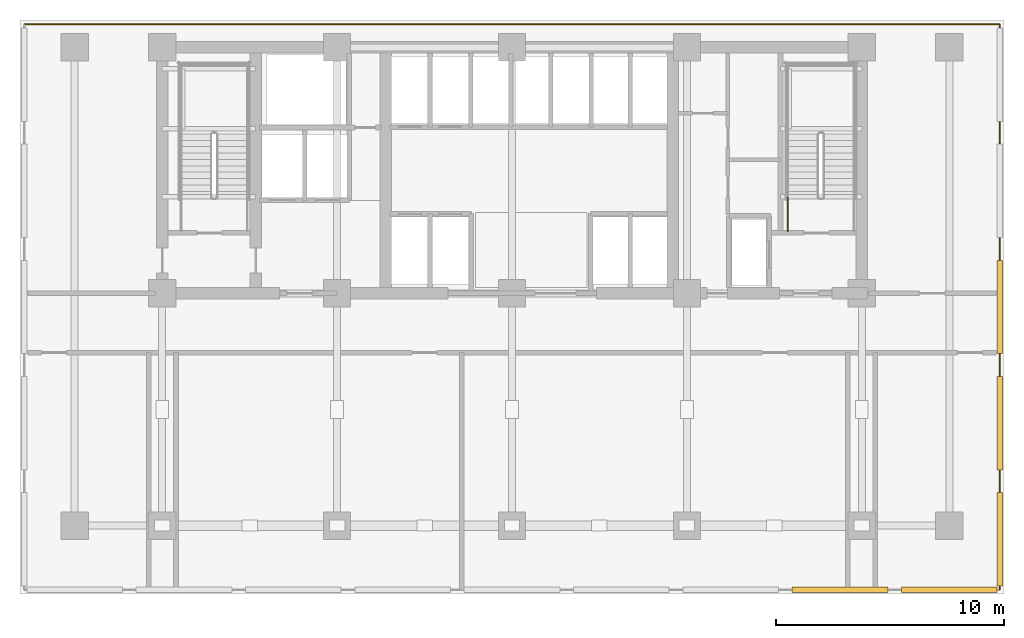
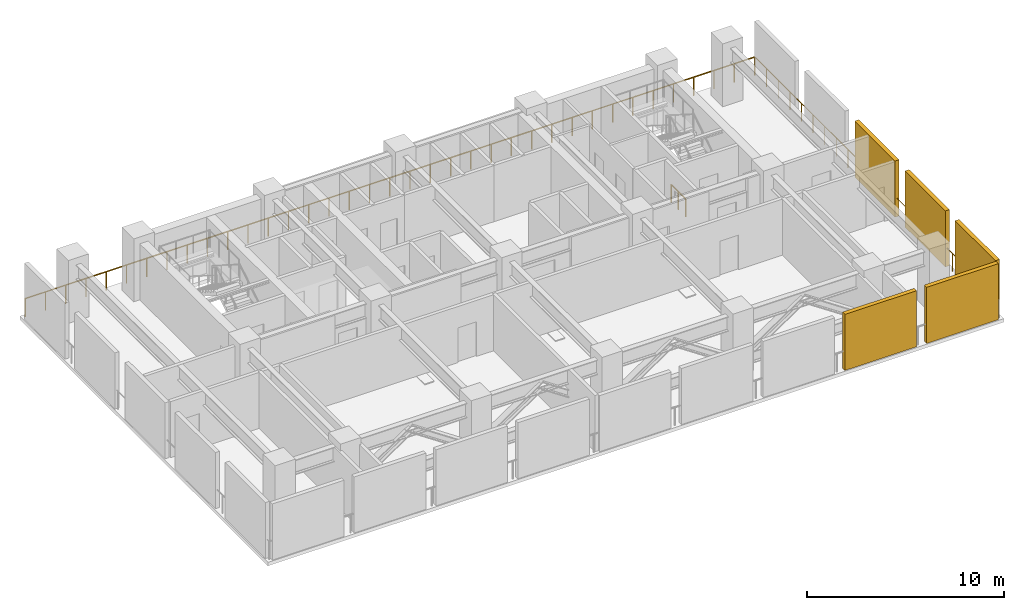
# One storey, part 6 of 7: 5 shading devices, 3 railings.
"""IFC4 building model written with IfcOpenShell, lengths in metres."""

from ifc_helpers import new_model, si_unit, direction, frame, origin, origin_2d, place, context, subcontext, project, spatial, rectangle, circle, extrude, material, layer, layer_set, type_object, element, save


model = new_model("IFC4")

# Units and contexts
model_context = context("Model", 3, precision=1e-05, world=origin(), true_north=direction((0.0, 1.0)))
body_context = subcontext(model_context, "Body", "Model", "MODEL_VIEW")
ifc_project = project(units=[si_unit("LENGTHUNIT", "METRE"), si_unit("AREAUNIT", "SQUARE_METRE"), si_unit("VOLUMEUNIT", "CUBIC_METRE"), si_unit("PLANEANGLEUNIT", "RADIAN"), si_unit("MASSUNIT", "GRAM", prefix="KILO")], contexts=[model_context])

# Site, building, storey
site_placement = place(None, origin())
site = spatial("IfcSite", under=ifc_project, at=site_placement, CompositionType="ELEMENT")
building_placement = place(site_placement, origin())
building = spatial("IfcBuilding", under=site, at=building_placement, Name="Yelkora Congress Tower", CompositionType="ELEMENT")
storey_placement = place(building_placement, frame((0.0, 0.0, 81.89990234375)))
storey = spatial("IfcBuildingStorey", under=building, at=storey_placement, Name="L21", CompositionType="ELEMENT", Elevation=81.89990234375)

# Railings
ifc_material_1 = material(Name="Stainless steel 316L and laminated glass infill", Category="steel")
ifc_layer_1 = layer(ifc_material_1, 0.080078125)
ifc_layer_set_1 = layer_set([ifc_layer_1], Name="Stainless steel 316L and laminated glass infill")
railing_type_1 = type_object("IfcRailingType", Name="RAIL-EXT-GUARD-1150", PredefinedType="GUARDRAIL", material=ifc_layer_set_1)
railing_1_placement = place(storey_placement, frame((59.820068359375, 22.39990234375, 0.0)))
element("IfcRailing", 1, at=railing_1_placement, inside=storey, type_object=railing_type_1, Name="L21 Wind-Floor Perimeter Guardrail E", PredefinedType="GUARDRAIL", context=body_context, shape_type="SweptSolid", body=[
    extrude(circle(Radius=0.02392578125, at=origin_2d()), frame((0.0, 0.0, 1.1259765625), z_axis=(0.0, 1.0, 0.0), x_axis=(-1.0, 0.0, 0.0)), (0.0, 0.0, 1.0), 24.800048828125),
    extrude(circle(Radius=0.02099609375, at=origin_2d()), origin(), (0.0, 0.0, 1.0), 1.101806640625),
    extrude(circle(Radius=0.02099609375, at=origin_2d()), frame((0.0, 1.180908203125, 0.0)), (0.0, 0.0, 1.0), 1.101806640625),
    extrude(circle(Radius=0.02099609375, at=origin_2d()), frame((0.0, 2.36181640625, 0.0)), (0.0, 0.0, 1.0), 1.101806640625),
    extrude(circle(Radius=0.02099609375, at=origin_2d()), frame((0.0, 3.54296875, 0.0)), (0.0, 0.0, 1.0), 1.101806640625),
    extrude(circle(Radius=0.02099609375, at=origin_2d()), frame((0.0, 4.723876953125, 0.0)), (0.0, 0.0, 1.0), 1.101806640625),
    extrude(circle(Radius=0.02099609375, at=origin_2d()), frame((0.0, 5.90478515625, 0.0)), (0.0, 0.0, 1.0), 1.101806640625),
    extrude(circle(Radius=0.02099609375, at=origin_2d()), frame((0.0, 7.085693359375, 0.0)), (0.0, 0.0, 1.0), 1.101806640625),
    extrude(circle(Radius=0.02099609375, at=origin_2d()), frame((0.0, 8.2666015625, 0.0)), (0.0, 0.0, 1.0), 1.101806640625),
    extrude(circle(Radius=0.02099609375, at=origin_2d()), frame((0.0, 9.44775390625, 0.0)), (0.0, 0.0, 1.0), 1.101806640625),
    extrude(circle(Radius=0.02099609375, at=origin_2d()), frame((0.0, 10.628662109375, 0.0)), (0.0, 0.0, 1.0), 1.101806640625),
    extrude(circle(Radius=0.02099609375, at=origin_2d()), frame((0.0, 11.8095703125, 0.0)), (0.0, 0.0, 1.0), 1.101806640625),
    extrude(circle(Radius=0.02099609375, at=origin_2d()), frame((0.0, 12.990478515625, 0.0)), (0.0, 0.0, 1.0), 1.101806640625),
    extrude(circle(Radius=0.02099609375, at=origin_2d()), frame((0.0, 14.17138671875, 0.0)), (0.0, 0.0, 1.0), 1.101806640625),
    extrude(circle(Radius=0.02099609375, at=origin_2d()), frame((0.0, 15.352294921875, 0.0)), (0.0, 0.0, 1.0), 1.101806640625),
    extrude(circle(Radius=0.02099609375, at=origin_2d()), frame((0.0, 16.533447265625, 0.0)), (0.0, 0.0, 1.0), 1.101806640625),
    extrude(circle(Radius=0.02099609375, at=origin_2d()), frame((0.0, 17.71435546875, 0.0)), (0.0, 0.0, 1.0), 1.101806640625),
    extrude(circle(Radius=0.02099609375, at=origin_2d()), frame((0.0, 18.895263671875, 0.0)), (0.0, 0.0, 1.0), 1.101806640625),
    extrude(circle(Radius=0.02099609375, at=origin_2d()), frame((0.0, 20.076171875, 0.0)), (0.0, 0.0, 1.0), 1.101806640625),
    extrude(circle(Radius=0.02099609375, at=origin_2d()), frame((0.0, 21.257080078125, 0.0)), (0.0, 0.0, 1.0), 1.101806640625),
    extrude(circle(Radius=0.02099609375, at=origin_2d()), frame((0.0, 22.438232421875, 0.0)), (0.0, 0.0, 1.0), 1.101806640625),
    extrude(circle(Radius=0.02099609375, at=origin_2d()), frame((0.0, 23.619140625, 0.0)), (0.0, 0.0, 1.0), 1.101806640625),
    extrude(circle(Radius=0.02099609375, at=origin_2d()), frame((0.0, 24.800048828125, 0.0)), (0.0, 0.0, 1.0), 1.101806640625),
])
railing_2_placement = place(storey_placement, frame((17.0, 47.219970703125, 0.0)))
element("IfcRailing", 2, at=railing_2_placement, inside=storey, type_object=railing_type_1, Name="L21 North Perimeter Guardrail", PredefinedType="GUARDRAIL", context=body_context, shape_type="SweptSolid", body=[
    extrude(circle(Radius=0.02392578125, at=origin_2d()), frame((0.0, 0.0, 1.1259765625), z_axis=(1.0, 0.0, 0.0), x_axis=(0.0, 1.0, 0.0)), (0.0, 0.0, 1.0), 42.800048828125),
    extrude(circle(Radius=0.02099609375, at=origin_2d()), origin(), (0.0, 0.0, 1.0), 1.101806640625),
    extrude(circle(Radius=0.02099609375, at=origin_2d()), frame((1.18896484375, 0.0, 0.0)), (0.0, 0.0, 1.0), 1.101806640625),
    extrude(circle(Radius=0.02099609375, at=origin_2d()), frame((2.377685546875, 0.0, 0.0)), (0.0, 0.0, 1.0), 1.101806640625),
    extrude(circle(Radius=0.02099609375, at=origin_2d()), frame((3.566650390625, 0.0, 0.0)), (0.0, 0.0, 1.0), 1.101806640625),
    extrude(circle(Radius=0.02099609375, at=origin_2d()), frame((4.755615234375, 0.0, 0.0)), (0.0, 0.0, 1.0), 1.101806640625),
    extrude(circle(Radius=0.02099609375, at=origin_2d()), frame((5.9443359375, 0.0, 0.0)), (0.0, 0.0, 1.0), 1.101806640625),
    extrude(circle(Radius=0.02099609375, at=origin_2d()), frame((7.13330078125, 0.0, 0.0)), (0.0, 0.0, 1.0), 1.101806640625),
    extrude(circle(Radius=0.02099609375, at=origin_2d()), frame((8.322265625, 0.0, 0.0)), (0.0, 0.0, 1.0), 1.101806640625),
    extrude(circle(Radius=0.02099609375, at=origin_2d()), frame((9.51123046875, 0.0, 0.0)), (0.0, 0.0, 1.0), 1.101806640625),
    extrude(circle(Radius=0.02099609375, at=origin_2d()), frame((10.699951171875, 0.0, 0.0)), (0.0, 0.0, 1.0), 1.101806640625),
    extrude(circle(Radius=0.02099609375, at=origin_2d()), frame((11.888916015625, 0.0, 0.0)), (0.0, 0.0, 1.0), 1.101806640625),
    extrude(circle(Radius=0.02099609375, at=origin_2d()), frame((13.077880859375, 0.0, 0.0)), (0.0, 0.0, 1.0), 1.101806640625),
    extrude(circle(Radius=0.02099609375, at=origin_2d()), frame((14.2666015625, 0.0, 0.0)), (0.0, 0.0, 1.0), 1.101806640625),
    extrude(circle(Radius=0.02099609375, at=origin_2d()), frame((15.45556640625, 0.0, 0.0)), (0.0, 0.0, 1.0), 1.101806640625),
    extrude(circle(Radius=0.02099609375, at=origin_2d()), frame((16.64453125, 0.0, 0.0)), (0.0, 0.0, 1.0), 1.101806640625),
    extrude(circle(Radius=0.02099609375, at=origin_2d()), frame((17.833251953125, 0.0, 0.0)), (0.0, 0.0, 1.0), 1.101806640625),
    extrude(circle(Radius=0.02099609375, at=origin_2d()), frame((19.022216796875, 0.0, 0.0)), (0.0, 0.0, 1.0), 1.101806640625),
    extrude(circle(Radius=0.02099609375, at=origin_2d()), frame((20.211181640625, 0.0, 0.0)), (0.0, 0.0, 1.0), 1.101806640625),
    extrude(circle(Radius=0.02099609375, at=origin_2d()), frame((21.39990234375, 0.0, 0.0)), (0.0, 0.0, 1.0), 1.101806640625),
    extrude(circle(Radius=0.02099609375, at=origin_2d()), frame((22.5888671875, 0.0, 0.0)), (0.0, 0.0, 1.0), 1.101806640625),
    extrude(circle(Radius=0.02099609375, at=origin_2d()), frame((23.77783203125, 0.0, 0.0)), (0.0, 0.0, 1.0), 1.101806640625),
    extrude(circle(Radius=0.02099609375, at=origin_2d()), frame((24.966796875, 0.0, 0.0)), (0.0, 0.0, 1.0), 1.101806640625),
    extrude(circle(Radius=0.02099609375, at=origin_2d()), frame((26.155517578125, 0.0, 0.0)), (0.0, 0.0, 1.0), 1.101806640625),
    extrude(circle(Radius=0.02099609375, at=origin_2d()), frame((27.344482421875, 0.0, 0.0)), (0.0, 0.0, 1.0), 1.101806640625),
    extrude(circle(Radius=0.02099609375, at=origin_2d()), frame((28.533447265625, 0.0, 0.0)), (0.0, 0.0, 1.0), 1.101806640625),
    extrude(circle(Radius=0.02099609375, at=origin_2d()), frame((29.72216796875, 0.0, 0.0)), (0.0, 0.0, 1.0), 1.101806640625),
    extrude(circle(Radius=0.02099609375, at=origin_2d()), frame((30.9111328125, 0.0, 0.0)), (0.0, 0.0, 1.0), 1.101806640625),
    extrude(circle(Radius=0.02099609375, at=origin_2d()), frame((32.10009765625, 0.0, 0.0)), (0.0, 0.0, 1.0), 1.101806640625),
    extrude(circle(Radius=0.02099609375, at=origin_2d()), frame((33.288818359375, 0.0, 0.0)), (0.0, 0.0, 1.0), 1.101806640625),
    extrude(circle(Radius=0.02099609375, at=origin_2d()), frame((34.477783203125, 0.0, 0.0)), (0.0, 0.0, 1.0), 1.101806640625),
    extrude(circle(Radius=0.02099609375, at=origin_2d()), frame((35.666748046875, 0.0, 0.0)), (0.0, 0.0, 1.0), 1.101806640625),
    extrude(circle(Radius=0.02099609375, at=origin_2d()), frame((36.855712890625, 0.0, 0.0)), (0.0, 0.0, 1.0), 1.101806640625),
    extrude(circle(Radius=0.02099609375, at=origin_2d()), frame((38.04443359375, 0.0, 0.0)), (0.0, 0.0, 1.0), 1.101806640625),
    extrude(circle(Radius=0.02099609375, at=origin_2d()), frame((39.2333984375, 0.0, 0.0)), (0.0, 0.0, 1.0), 1.101806640625),
    extrude(circle(Radius=0.02099609375, at=origin_2d()), frame((40.42236328125, 0.0, 0.0)), (0.0, 0.0, 1.0), 1.101806640625),
    extrude(circle(Radius=0.02099609375, at=origin_2d()), frame((41.611083984375, 0.0, 0.0)), (0.0, 0.0, 1.0), 1.101806640625),
    extrude(circle(Radius=0.02099609375, at=origin_2d()), frame((42.800048828125, 0.0, 0.0)), (0.0, 0.0, 1.0), 1.101806640625),
])
ifc_material_2 = material(Name="Painted galvanised steel stair well guard with vertical infill", Category="steel")
ifc_layer_2 = layer(ifc_material_2, 0.06005859375)
ifc_layer_set_2 = layer_set([ifc_layer_2], Name="Painted galvanised steel stair well guard with vertical infill")
railing_type_2 = type_object("IfcRailingType", Name="RAIL-STAIR-GUARD-1120", PredefinedType="GUARDRAIL", material=ifc_layer_set_2)
railing_3_placement = place(storey_placement, frame((50.510009765625, 38.1201171875, 0.0)))
element("IfcRailing", 3, at=railing_3_placement, inside=storey, type_object=railing_type_2, Name="ST-02 L21 Stair Well Guardrail 9", PredefinedType="GUARDRAIL", context=body_context, shape_type="SweptSolid", body=[
    extrude(circle(Radius=0.02392578125, at=origin_2d()), frame((0.0, 0.0, 1.09619140625), z_axis=(0.0, 1.0, 0.0), x_axis=(-1.0, 0.0, 0.0)), (0.0, 0.0, 1.0), 1.47998046875),
    extrude(circle(Radius=0.02099609375, at=origin_2d()), origin(), (0.0, 0.0, 1.0), 1.072021484375),
    extrude(circle(Radius=0.02099609375, at=origin_2d()), frame((0.0, 0.739990234375, 0.0)), (0.0, 0.0, 1.0), 1.072021484375),
    extrude(circle(Radius=0.02099609375, at=origin_2d()), frame((0.0, 1.47998046875, 0.0)), (0.0, 0.0, 1.0), 1.072021484375),
])

# Shading devices
ifc_material_3 = material(Name="Perforated anodised aluminium louvre", Category="aluminium")
ifc_layer_3 = layer(ifc_material_3, 3.39990234375)
ifc_layer_set_3 = layer_set([ifc_layer_3], Name="Perforated anodised aluminium louvre")
shading_device_type = type_object("IfcShadingDeviceType", Name="SHD-LOUVRE-WIND", PredefinedType="JALOUSIE", material=ifc_layer_set_3)
for number, where, z_axis, x_axis, name in (
    (4, (59.820068359375, 24.60009765625, 0.0), (0.0, 0.0, 1.0), (1.0, 0.0, 0.0), "L21 Acoustic Wind-Floor Louvre Screen E1"),
    (5, (59.820068359375, 29.699951171875, 0.0), (0.0, 0.0, 1.0), (1.0, 0.0, 0.0), "L21 Acoustic Wind-Floor Louvre Screen E2"),
    (6, (59.820068359375, 34.800048828125, 0.0), (0.0, 0.0, 1.0), (1.0, 0.0, 0.0), "L21 Acoustic Wind-Floor Louvre Screen E3"),
):
    element("IfcShadingDevice", number, at=place(storey_placement, frame(where, z_axis=z_axis, x_axis=x_axis)), inside=storey, type_object=shading_device_type, Name=name, PredefinedType="JALOUSIE", context=body_context, shape_type="SweptSolid", body=[
        extrude(rectangle(XDim=0.239990234375, YDim=4.10009765625, at=origin_2d()), origin(), (0.0, 0.0, 1.0), 3.47998046875),
    ])
for number, where, z_axis, x_axis, name in (
    (7, (52.800048828125, 22.3798828125, 0.0), (0.0, 0.0, 1.0), (1.0, 0.0, 0.0), "L21 South Blow-Through Wind Louvre 8"),
    (8, (57.60009765625, 22.3798828125, 0.0), (0.0, 0.0, 1.0), (1.0, 0.0, 0.0), "L21 South Blow-Through Wind Louvre 9"),
):
    element("IfcShadingDevice", number, at=place(storey_placement, frame(where, z_axis=z_axis, x_axis=x_axis)), inside=storey, type_object=shading_device_type, Name=name, PredefinedType="JALOUSIE", context=body_context, shape_type="SweptSolid", body=[
        extrude(rectangle(XDim=4.199951171875, YDim=0.239990234375, at=origin_2d()), origin(), (0.0, 0.0, 1.0), 3.47998046875),
    ])

save(model, "model.ifc")
